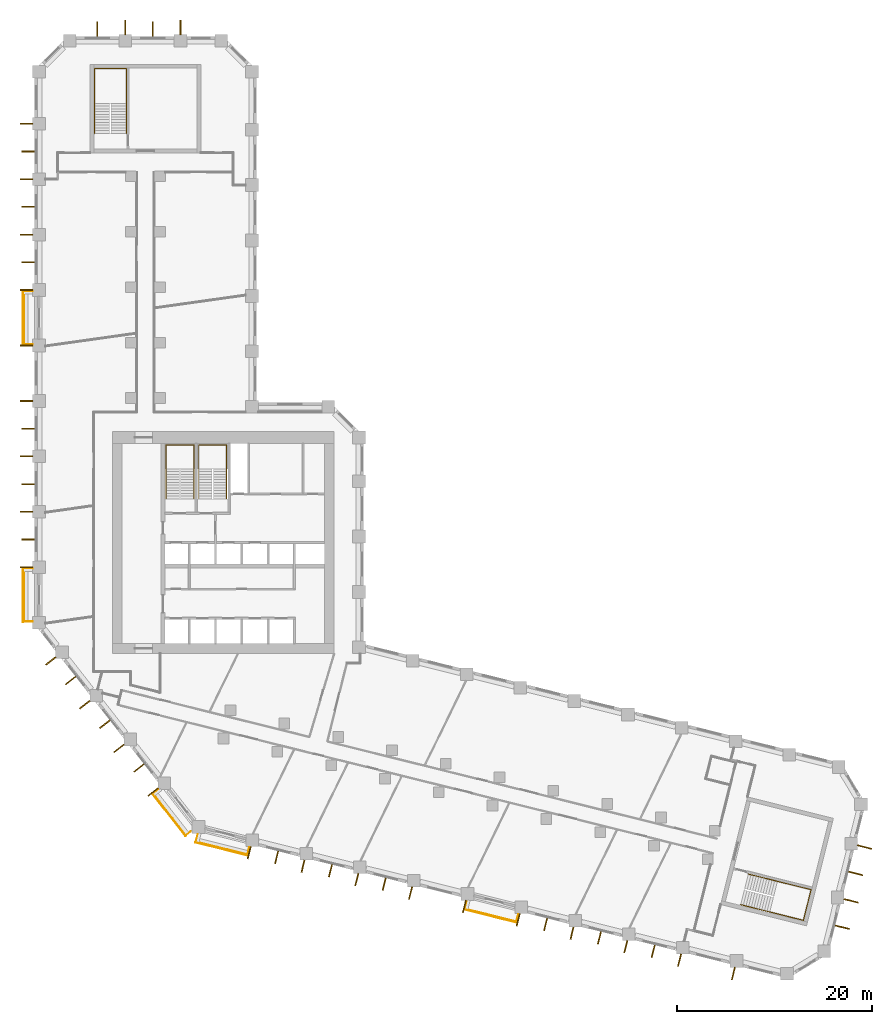
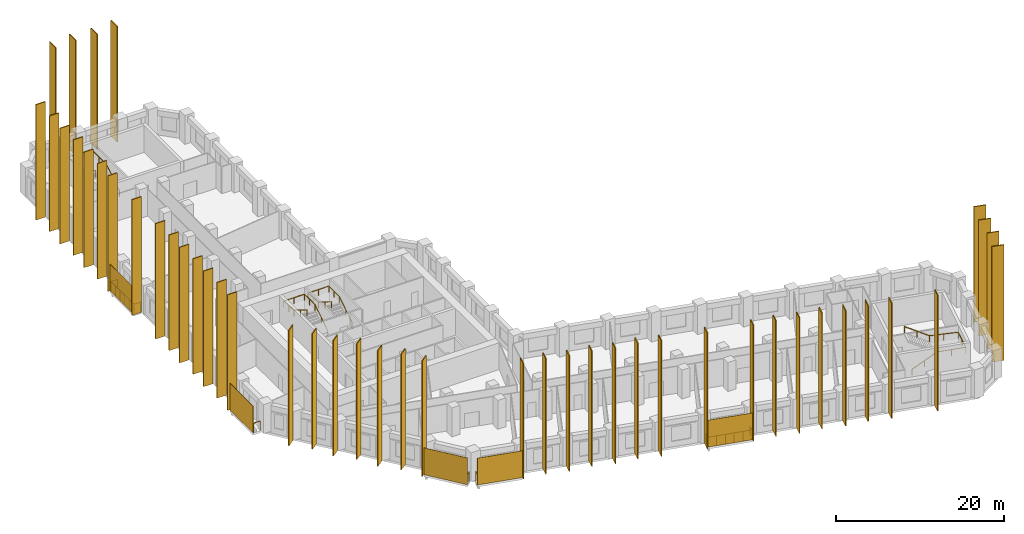
# One storey, part 11 of 11: 51 shading devices, 9 railings.
"""IFC4 building model written with IfcOpenShell, lengths in metres."""

from ifc_helpers import new_model, si_unit, direction, frame, origin, origin_2d, place, context, subcontext, project, spatial, rectangle, circle, extrude, material, layer, layer_set, type_object, element, save


model = new_model("IFC4")

# Units and contexts
model_context = context("Model", 3, precision=1e-05, world=origin(), true_north=direction((0.0, 1.0)))
body_context = subcontext(model_context, "Body", "Model", "MODEL_VIEW")
ifc_project = project(units=[si_unit("LENGTHUNIT", "METRE"), si_unit("AREAUNIT", "SQUARE_METRE"), si_unit("VOLUMEUNIT", "CUBIC_METRE"), si_unit("PLANEANGLEUNIT", "RADIAN"), si_unit("MASSUNIT", "GRAM", prefix="KILO")], contexts=[model_context])

# Site, building, storey
site_placement = place(None, origin())
site = spatial("IfcSite", under=ifc_project, at=site_placement, CompositionType="ELEMENT")
building_placement = place(site_placement, origin())
building = spatial("IfcBuilding", under=site, at=building_placement, Name="Meshkara Civic Tower", CompositionType="ELEMENT")
storey_placement = place(building_placement, frame((0.0, 0.0, 97.199951171875)))
storey = spatial("IfcBuildingStorey", under=building, at=storey_placement, Name="L21", CompositionType="ELEMENT", Elevation=97.199951171875)

# Railings
ifc_material_1 = material(Name="Steel S355", Category="steel")
railing_type_1 = type_object("IfcRailingType", Name="BALUSTRADE GUARD 1400", PredefinedType="BALUSTRADE", material=ifc_material_1)
for number, where, name in (
    (1, (-0.199951171875, 51.3349609375, 0.0), "Balcony guard"),
    (2, (-0.199951171875, 22.8349609375, 0.0), "Balcony guard"),
):
    element("IfcRailing", number, at=place(storey_placement, frame(where)), inside=storey, type_object=railing_type_1, Name=name, PredefinedType="BALUSTRADE", context=body_context, shape_type="SweptSolid", body=[
        extrude(circle(Radius=0.02392578125, at=origin_2d()), frame((0.0, 0.0, 1.3759765625), z_axis=(-1.0, 0.0, 0.0), x_axis=(0.0, -1.0, 0.0)), (0.0, 0.0, 1.0), 0.91015625),
        extrude(circle(Radius=0.02392578125, at=origin_2d()), frame((-0.91015625, 0.0, 1.3759765625), z_axis=(0.0, -1.0, 0.0), x_axis=(1.0, 0.0, 0.0)), (0.0, 0.0, 1.0), 5.4599609375),
        extrude(circle(Radius=0.02392578125, at=origin_2d()), frame((-0.91015625, -5.4599609375, 1.3759765625), z_axis=(1.0, 0.0, 0.0), x_axis=(0.0, 1.0, 0.0)), (0.0, 0.0, 1.0), 0.91015625),
        extrude(circle(Radius=0.02099609375, at=origin_2d()), origin(), (0.0, 0.0, 1.0), 1.351806640625),
        extrude(circle(Radius=0.02099609375, at=origin_2d()), frame((-0.91015625, 0.0, 0.0)), (0.0, 0.0, 1.0), 1.351806640625),
        extrude(circle(Radius=0.02099609375, at=origin_2d()), frame((-0.91015625, -1.092041015625, 0.0)), (0.0, 0.0, 1.0), 1.351806640625),
        extrude(circle(Radius=0.02099609375, at=origin_2d()), frame((-0.91015625, -2.18408203125, 0.0)), (0.0, 0.0, 1.0), 1.351806640625),
        extrude(circle(Radius=0.02099609375, at=origin_2d()), frame((-0.91015625, -3.27587890625, 0.0)), (0.0, 0.0, 1.0), 1.351806640625),
        extrude(circle(Radius=0.02099609375, at=origin_2d()), frame((-0.91015625, -4.367919921875, 0.0)), (0.0, 0.0, 1.0), 1.351806640625),
        extrude(circle(Radius=0.02099609375, at=origin_2d()), frame((-0.91015625, -5.4599609375, 0.0)), (0.0, 0.0, 1.0), 1.351806640625),
        extrude(circle(Radius=0.02099609375, at=origin_2d()), frame((0.0, -5.4599609375, 0.0)), (0.0, 0.0, 1.0), 1.351806640625),
    ])
railing_1_placement = place(storey_placement, frame((12.697021484375, 0.097900390625, 0.0)))
element("IfcRailing", 3, at=railing_1_placement, inside=storey, type_object=railing_type_1, Name="Balcony guard", PredefinedType="BALUSTRADE", context=body_context, shape_type="SweptSolid", body=[
    extrude(circle(Radius=0.02392578125, at=origin_2d()), frame((0.0, 0.0, 1.3759765625), z_axis=(-0.788235582762, -0.615373598774, 0.0), x_axis=(0.615373598774, -0.788235582762, 0.0)), (0.0, 0.0, 1.0), 0.648193359375),
    extrude(circle(Radius=0.02392578125, at=origin_2d()), frame((-0.510986328125, -0.39892578125, 1.3759765625), z_axis=(0.615684818606, -0.787992515281, 0.0), x_axis=(0.787992515281, 0.615684818606, 0.0)), (0.0, 0.0, 1.0), 5.460693359375),
    extrude(circle(Radius=0.02392578125, at=origin_2d()), frame((2.85107421875, -4.701904296875, 1.3759765625), z_axis=(0.787664106231, 0.616104906453, 0.0), x_axis=(-0.616104906453, 0.787664106231, 0.0)), (0.0, 0.0, 1.0), 0.6474609375),
    extrude(circle(Radius=0.02099609375, at=origin_2d()), origin(), (0.0, 0.0, 1.0), 1.351806640625),
    extrude(circle(Radius=0.02099609375, at=origin_2d()), frame((-0.510986328125, -0.39892578125, 0.0)), (0.0, 0.0, 1.0), 1.351806640625),
    extrude(circle(Radius=0.02099609375, at=origin_2d()), frame((0.161376953125, -1.259521484375, 0.0)), (0.0, 0.0, 1.0), 1.351806640625),
    extrude(circle(Radius=0.02099609375, at=origin_2d()), frame((0.833740234375, -2.1201171875, 0.0)), (0.0, 0.0, 1.0), 1.351806640625),
    extrude(circle(Radius=0.02099609375, at=origin_2d()), frame((1.50634765625, -2.980712890625, 0.0)), (0.0, 0.0, 1.0), 1.351806640625),
    extrude(circle(Radius=0.02099609375, at=origin_2d()), frame((2.1787109375, -3.84130859375, 0.0)), (0.0, 0.0, 1.0), 1.351806640625),
    extrude(circle(Radius=0.02099609375, at=origin_2d()), frame((2.85107421875, -4.701904296875, 0.0)), (0.0, 0.0, 1.0), 1.351806640625),
    extrude(circle(Radius=0.02099609375, at=origin_2d()), frame((3.361083984375, -4.302978515625, 0.0)), (0.0, 0.0, 1.0), 1.351806640625),
])
railing_2_placement = place(storey_placement, frame((16.777099609375, -4.531005859375, 0.0)))
element("IfcRailing", 4, at=railing_2_placement, inside=storey, type_object=railing_type_1, Name="Balcony guard", PredefinedType="BALUSTRADE", context=body_context, shape_type="SweptSolid", body=[
    extrude(circle(Radius=0.02392578125, at=origin_2d()), frame((0.0, 0.0, 1.3759765625), z_axis=(-0.241941038466, -0.970290953223, 0.0), x_axis=(0.970290953223, -0.241941038466, 0.0)), (0.0, 0.0, 1.0), 0.77294921875),
    extrude(circle(Radius=0.02392578125, at=origin_2d()), frame((-0.18701171875, -0.75, 1.3759765625), z_axis=(0.9703315887, -0.241778013829, 0.0), x_axis=(0.241778013829, 0.9703315887, 0.0)), (0.0, 0.0, 1.0), 5.459716796875),
    extrude(circle(Radius=0.02392578125, at=origin_2d()), frame((5.11083984375, -2.070068359375, 1.3759765625), z_axis=(0.242237978263, 0.970216863329, 0.0), x_axis=(-0.970216863329, 0.242237978263, 0.0)), (0.0, 0.0, 1.0), 0.77197265625),
    extrude(circle(Radius=0.02099609375, at=origin_2d()), origin(), (0.0, 0.0, 1.0), 1.351806640625),
    extrude(circle(Radius=0.02099609375, at=origin_2d()), frame((-0.18701171875, -0.75, 0.0)), (0.0, 0.0, 1.0), 1.351806640625),
    extrude(circle(Radius=0.02099609375, at=origin_2d()), frame((0.87255859375, -1.013916015625, 0.0)), (0.0, 0.0, 1.0), 1.351806640625),
    extrude(circle(Radius=0.02099609375, at=origin_2d()), frame((1.93212890625, -1.278076171875, 0.0)), (0.0, 0.0, 1.0), 1.351806640625),
    extrude(circle(Radius=0.02099609375, at=origin_2d()), frame((2.99169921875, -1.5419921875, 0.0)), (0.0, 0.0, 1.0), 1.351806640625),
    extrude(circle(Radius=0.02099609375, at=origin_2d()), frame((4.05126953125, -1.80615234375, 0.0)), (0.0, 0.0, 1.0), 1.351806640625),
    extrude(circle(Radius=0.02099609375, at=origin_2d()), frame((5.11083984375, -2.070068359375, 0.0)), (0.0, 0.0, 1.0), 1.351806640625),
    extrude(circle(Radius=0.02099609375, at=origin_2d()), frame((5.2978515625, -1.321044921875, 0.0)), (0.0, 0.0, 1.0), 1.351806640625),
])
railing_3_placement = place(storey_placement, frame((44.430908203125, -11.426025390625, 0.0)))
element("IfcRailing", 5, at=railing_3_placement, inside=storey, type_object=railing_type_1, Name="Balcony guard", PredefinedType="BALUSTRADE", context=body_context, shape_type="SweptSolid", body=[
    extrude(circle(Radius=0.02392578125, at=origin_2d()), frame((0.0, 0.0, 1.3759765625), z_axis=(-0.242237978263, -0.970216863329, 0.0), x_axis=(0.970216863329, -0.242237978263, 0.0)), (0.0, 0.0, 1.0), 0.77197265625),
    extrude(circle(Radius=0.02392578125, at=origin_2d()), frame((-0.18701171875, -0.7490234375, 1.3759765625), z_axis=(0.970281759871, -0.241977904902, 0.0), x_axis=(0.241977904902, 0.970281759871, 0.0)), (0.0, 0.0, 1.0), 5.45947265625),
    extrude(circle(Radius=0.02392578125, at=origin_2d()), frame((5.110107421875, -2.070068359375, 1.3759765625), z_axis=(0.242237978263, 0.970216863329, 0.0), x_axis=(-0.970216863329, 0.242237978263, 0.0)), (0.0, 0.0, 1.0), 0.77197265625),
    extrude(circle(Radius=0.02099609375, at=origin_2d()), origin(), (0.0, 0.0, 1.0), 1.351806640625),
    extrude(circle(Radius=0.02099609375, at=origin_2d()), frame((-0.18701171875, -0.7490234375, 0.0)), (0.0, 0.0, 1.0), 1.351806640625),
    extrude(circle(Radius=0.02099609375, at=origin_2d()), frame((0.872314453125, -1.01318359375, 0.0)), (0.0, 0.0, 1.0), 1.351806640625),
    extrude(circle(Radius=0.02099609375, at=origin_2d()), frame((1.931884765625, -1.27734375, 0.0)), (0.0, 0.0, 1.0), 1.351806640625),
    extrude(circle(Radius=0.02099609375, at=origin_2d()), frame((2.9912109375, -1.541748046875, 0.0)), (0.0, 0.0, 1.0), 1.351806640625),
    extrude(circle(Radius=0.02099609375, at=origin_2d()), frame((4.05078125, -1.805908203125, 0.0)), (0.0, 0.0, 1.0), 1.351806640625),
    extrude(circle(Radius=0.02099609375, at=origin_2d()), frame((5.110107421875, -2.070068359375, 0.0)), (0.0, 0.0, 1.0), 1.351806640625),
    extrude(circle(Radius=0.02099609375, at=origin_2d()), frame((5.297119140625, -1.321044921875, 0.0)), (0.0, 0.0, 1.0), 1.351806640625),
])

# Shading devices
ifc_material_2 = material(Name="Bronze anodised aluminium", Category="aluminium")
ifc_layer_1 = layer(ifc_material_2, 0.1201171875)
ifc_layer_set_1 = layer_set([ifc_layer_1], Name="BRONZE FIN 1300")
shading_device_type_1 = type_object("IfcShadingDeviceType", Name="BRONZE FIN 1300", PredefinedType="USERDEFINED", material=ifc_layer_set_1)
for number, where, z_axis, x_axis, name in (
    (6, (-0.85009765625, 68.554931640625, 0.0), (0.0, 0.0, 1.0), (0.0, -1.0, 0.0), "Fin"),
    (7, (-0.64990234375, 65.705078125, 0.0), (0.0, 0.0, 1.0), (0.0, -1.0, 0.0), "Fin"),
    (8, (-0.85009765625, 62.85498046875, 0.0), (0.0, 0.0, 1.0), (0.0, -1.0, 0.0), "Fin"),
    (9, (-0.64990234375, 60.0048828125, 0.0), (0.0, 0.0, 1.0), (0.0, -1.0, 0.0), "Fin"),
    (10, (-0.85009765625, 57.155029296875, 0.0), (0.0, 0.0, 1.0), (0.0, -1.0, 0.0), "Fin"),
    (11, (-0.64990234375, 54.304931640625, 0.0), (0.0, 0.0, 1.0), (0.0, -1.0, 0.0), "Fin"),
    (12, (-0.85009765625, 51.455078125, 0.0), (0.0, 0.0, 1.0), (0.0, -1.0, 0.0), "Fin"),
    (13, (-0.85009765625, 45.7548828125, 0.0), (0.0, 0.0, 1.0), (0.0, -1.0, 0.0), "Fin"),
    (14, (-0.85009765625, 40.054931640625, 0.0), (0.0, 0.0, 1.0), (0.0, -1.0, 0.0), "Fin"),
    (15, (-0.64990234375, 37.205078125, 0.0), (0.0, 0.0, 1.0), (0.0, -1.0, 0.0), "Fin"),
    (16, (-0.85009765625, 34.35498046875, 0.0), (0.0, 0.0, 1.0), (0.0, -1.0, 0.0), "Fin"),
    (17, (-0.64990234375, 31.5048828125, 0.0), (0.0, 0.0, 1.0), (0.0, -1.0, 0.0), "Fin"),
    (18, (-0.85009765625, 28.655029296875, 0.0), (0.0, 0.0, 1.0), (0.0, -1.0, 0.0), "Fin"),
    (19, (-0.64990234375, 25.804931640625, 0.0), (0.0, 0.0, 1.0), (0.0, -1.0, 0.0), "Fin"),
    (20, (-0.85009765625, 22.955078125, 0.0), (0.0, 0.0, 1.0), (0.0, -1.0, 0.0), "Fin"),
    (21, (1.652099609375, 13.321044921875, 0.0), (0.0, 0.0, 1.0), (0.615661475326, -0.788010753607, 0.0), "Fin"),
    (22, (3.701904296875, 11.305908203125, 0.0), (0.0, 0.0, 1.0), (0.615661475326, -0.788010753607, 0.0), "Fin"),
    (23, (5.160888671875, 8.8291015625, 0.0), (0.0, 0.0, 1.0), (0.615661475326, -0.788010753607, 0.0), "Fin"),
    (24, (7.2109375, 6.81396484375, 0.0), (0.0, 0.0, 1.0), (0.615661475326, -0.788010753607, 0.0), "Fin"),
    (25, (8.6708984375, 4.3369140625, 0.0), (0.0, 0.0, 1.0), (0.615661475326, -0.788010753607, 0.0), "Fin"),
    (26, (10.720947265625, 2.322021484375, 0.0), (0.0, 0.0, 1.0), (0.615661475326, -0.788010753607, 0.0), "Fin"),
    (27, (12.179931640625, -0.154052734375, 0.0), (0.0, 0.0, 1.0), (0.615661475326, -0.788010753607, 0.0), "Fin"),
    (28, (22.06298828125, -6.39794921875, 0.0), (0.0, 0.0, 1.0), (0.970299948462, -0.241904960708, 0.0), "Fin"),
    (29, (24.881103515625, -6.873046875, 0.0), (0.0, 0.0, 1.0), (0.970299948462, -0.241904960708, 0.0), "Fin"),
    (30, (27.593017578125, -7.777099609375, 0.0), (0.0, 0.0, 1.0), (0.970299948462, -0.241904960708, 0.0), "Fin"),
    (31, (30.412109375, -8.251953125, 0.0), (0.0, 0.0, 1.0), (0.970299948462, -0.241904960708, 0.0), "Fin"),
    (32, (33.1240234375, -9.156005859375, 0.0), (0.0, 0.0, 1.0), (0.970299948462, -0.241904960708, 0.0), "Fin"),
    (33, (35.94189453125, -9.631103515625, 0.0), (0.0, 0.0, 1.0), (0.970299948462, -0.241904960708, 0.0), "Fin"),
    (34, (38.655029296875, -10.533935546875, 0.0), (0.0, 0.0, 1.0), (0.970299948462, -0.241904960708, 0.0), "Fin"),
    (35, (44.18603515625, -11.9130859375, 0.0), (0.0, 0.0, 1.0), (0.970299948462, -0.241904960708, 0.0), "Fin"),
    (36, (49.716064453125, -13.2919921875, 0.0), (0.0, 0.0, 1.0), (0.970299948462, -0.241904960708, 0.0), "Fin"),
    (37, (52.533935546875, -13.76806640625, 0.0), (0.0, 0.0, 1.0), (0.970299948462, -0.241904960708, 0.0), "Fin"),
    (38, (55.2470703125, -14.6708984375, 0.0), (0.0, 0.0, 1.0), (0.970299948462, -0.241904960708, 0.0), "Fin"),
    (39, (58.06494140625, -15.14697265625, 0.0), (0.0, 0.0, 1.0), (0.970299948462, -0.241904960708, 0.0), "Fin"),
    (40, (60.778076171875, -16.050048828125, 0.0), (0.0, 0.0, 1.0), (0.970299948462, -0.241904960708, 0.0), "Fin"),
    (41, (63.595947265625, -16.52587890625, 0.0), (0.0, 0.0, 1.0), (0.970299948462, -0.241904960708, 0.0), "Fin"),
    (42, (66.30810546875, -17.428955078125, 0.0), (0.0, 0.0, 1.0), (0.970299948462, -0.241904960708, 0.0), "Fin"),
    (43, (71.839111328125, -18.80810546875, 0.0), (0.0, 0.0, 1.0), (0.970299948462, -0.241904960708, 0.0), "Fin"),
):
    element("IfcShadingDevice", number, at=place(storey_placement, frame(where, z_axis=z_axis, x_axis=x_axis)), inside=storey, type_object=shading_device_type_1, Name=name, ObjectType="FIN", PredefinedType="USERDEFINED", context=body_context, shape_type="SweptSolid", body=[
        extrude(rectangle(XDim=0.1201171875, YDim=1.300048828125, at=origin_2d()), origin(), (0.0, 0.0, 1.0), 16.800048828125),
    ])
ifc_material_3 = material(Name="Bronze anodised aluminium", Category="aluminium")
ifc_layer_2 = layer(ifc_material_3, 0.1201171875)
ifc_layer_set_2 = layer_set([ifc_layer_2], Name="BRONZE FIN 1500")
shading_device_type_2 = type_object("IfcShadingDeviceType", Name="BRONZE FIN 1500", PredefinedType="USERDEFINED", material=ifc_layer_set_2)
for number, where, z_axis, x_axis, name in (
    (44, (15.006103515625, 78.469970703125, 0.0), (0.0, 0.0, 1.0), (-1.0, 0.0, 0.0), "Fin"),
    (45, (12.156005859375, 78.27001953125, 0.0), (0.0, 0.0, 1.0), (-1.0, 0.0, 0.0), "Fin"),
    (46, (9.305908203125, 78.469970703125, 0.0), (0.0, 0.0, 1.0), (-1.0, 0.0, 0.0), "Fin"),
    (47, (6.4560546875, 78.27001953125, 0.0), (0.0, 0.0, 1.0), (-1.0, 0.0, 0.0), "Fin"),
    (48, (83.037109375, -14.049072265625, 0.0), (0.0, 0.0, 1.0), (0.2419218956, 0.970295726276, 0.0), "Fin"),
    (49, (83.93994140625, -11.3359375, 0.0), (0.0, 0.0, 1.0), (0.2419218956, 0.970295726276, 0.0), "Fin"),
    (50, (84.416015625, -8.51806640625, 0.0), (0.0, 0.0, 1.0), (0.2419218956, 0.970295726276, 0.0), "Fin"),
    (51, (85.319091796875, -5.805908203125, 0.0), (0.0, 0.0, 1.0), (0.2419218956, 0.970295726276, 0.0), "Fin"),
):
    element("IfcShadingDevice", number, at=place(storey_placement, frame(where, z_axis=z_axis, x_axis=x_axis)), inside=storey, type_object=shading_device_type_2, Name=name, ObjectType="FIN", PredefinedType="USERDEFINED", context=body_context, shape_type="SweptSolid", body=[
        extrude(rectangle(XDim=0.1201171875, YDim=1.5, at=origin_2d()), origin(), (0.0, 0.0, 1.0), 16.800048828125),
    ])
ifc_material_4 = material(Name="Perforated bronze anodised aluminium sheet", Category="aluminium")
ifc_layer_3 = layer(ifc_material_4, 0.0400390625)
ifc_layer_set_3 = layer_set([ifc_layer_3], Name="PERFORATED BRONZE SCREEN")
shading_device_type_3 = type_object("IfcShadingDeviceType", Name="PERFORATED BRONZE SCREEN", PredefinedType="USERDEFINED", material=ifc_layer_set_3)
for number, where, z_axis, x_axis, name in (
    (52, (-1.179931640625, 48.60498046875, 0.0), (0.0, 0.0, 1.0), (0.0, -1.0, 0.0), "Balcony screen"),
    (53, (-1.179931640625, 20.10498046875, 0.0), (0.0, 0.0, 1.0), (0.0, -1.0, 0.0), "Balcony screen"),
    (54, (13.81201171875, -2.4951171875, 0.0), (0.0, 0.0, 1.0), (0.615661475326, -0.788010753607, 0.0), "Balcony screen"),
    (55, (19.221923828125, -6.009033203125, 0.0), (0.0, 0.0, 1.0), (0.970299948462, -0.241904960708, 0.0), "Balcony screen"),
):
    element("IfcShadingDevice", number, at=place(storey_placement, frame(where, z_axis=z_axis, x_axis=x_axis)), inside=storey, type_object=shading_device_type_3, Name=name, ObjectType="SCREEN", PredefinedType="USERDEFINED", context=body_context, shape_type="SweptSolid", body=[
        extrude(rectangle(XDim=5.580078125, YDim=0.0400390625, at=origin_2d()), origin(), (0.0, 0.0, 1.0), 3.89990234375),
    ])
shading_device_placement = place(storey_placement, frame((46.8759765625, -12.903076171875, 0.0), z_axis=(0.0, 0.0, 1.0), x_axis=(0.970299948462, -0.241904960708, 0.0)))
element("IfcShadingDevice", 56, at=shading_device_placement, inside=storey, type_object=shading_device_type_3, Name="Balcony screen", ObjectType="SCREEN", PredefinedType="USERDEFINED", context=body_context, shape_type="SweptSolid", body=[
    extrude(rectangle(XDim=5.5791015625, YDim=0.0400390625, at=origin_2d()), origin(), (0.0, 0.0, 1.0), 3.89990234375),
])

# Railings
ifc_material_5 = material(Name="Steel handrail", Category="steel")
railing_type_2 = type_object("IfcRailingType", Name="Stair handrail 900", PredefinedType="HANDRAIL", material=ifc_material_5)
railing_4_placement = place(storey_placement, frame((16.375, 30.0, 0.175048828125)))
element("IfcRailing", 57, at=railing_4_placement, inside=storey, type_object=railing_type_2, Name="L21 ST1 stair handrail 1", PredefinedType="HANDRAIL", context=body_context, shape_type="SweptSolid", body=[
    extrude(circle(Radius=0.02392578125, at=origin_2d()), frame((0.0, 0.0, 0.8759765625), z_axis=(0.0, 0.847998304005, 0.529998940003), x_axis=(-1.0, 0.0, 0.0)), (0.0, 0.0, 1.0), 3.632080078125),
    extrude(circle(Radius=0.02392578125, at=origin_2d()), frame((0.0, 3.080078125, 2.80078125), z_axis=(0.0, 1.0, 0.0), x_axis=(-1.0, 0.0, 0.0)), (0.0, 0.0, 1.0), 2.469970703125),
    extrude(circle(Radius=0.02392578125, at=origin_2d()), frame((0.0, 5.550048828125, 2.80078125), z_axis=(-1.0, 0.0, 0.0), x_axis=(0.0, -1.0, 0.0)), (0.0, 0.0, 1.0), 2.85009765625),
    extrude(circle(Radius=0.02392578125, at=origin_2d()), frame((-2.85009765625, 5.550048828125, 2.80078125), z_axis=(0.0, -0.997498084828, 0.070693498747), x_axis=(1.0, 0.0, 0.0)), (0.0, 0.0, 1.0), 2.47607421875),
    extrude(circle(Radius=0.02392578125, at=origin_2d()), frame((-2.85009765625, 3.080078125, 2.97607421875), z_axis=(0.0, -0.848028513186, 0.529950602248), x_axis=(1.0, 0.0, 0.0)), (0.0, 0.0, 1.0), 3.632080078125),
    extrude(circle(Radius=0.02099609375, at=origin_2d()), origin(), (0.0, 0.0, 1.0), 0.851806640625),
    extrude(circle(Radius=0.02099609375, at=origin_2d()), frame((0.0, 1.5400390625, 0.96240234375)), (0.0, 0.0, 1.0), 0.851806640625),
    extrude(circle(Radius=0.02099609375, at=origin_2d()), frame((0.0, 3.080078125, 1.925048828125)), (0.0, 0.0, 1.0), 0.851806640625),
    extrude(circle(Radius=0.02099609375, at=origin_2d()), frame((0.0, 4.31494140625, 1.925048828125)), (0.0, 0.0, 1.0), 0.851806640625),
    extrude(circle(Radius=0.02099609375, at=origin_2d()), frame((0.0, 5.550048828125, 1.925048828125)), (0.0, 0.0, 1.0), 0.851806640625),
    extrude(circle(Radius=0.02099609375, at=origin_2d()), frame((-1.425048828125, 5.550048828125, 1.925048828125)), (0.0, 0.0, 1.0), 0.851806640625),
    extrude(circle(Radius=0.02099609375, at=origin_2d()), frame((-2.85009765625, 5.550048828125, 1.925048828125)), (0.0, 0.0, 1.0), 0.851806640625),
    extrude(circle(Radius=0.02099609375, at=origin_2d()), frame((-2.85009765625, 4.31494140625, 2.0126953125)), (0.0, 0.0, 1.0), 0.851806640625),
    extrude(circle(Radius=0.02099609375, at=origin_2d()), frame((-2.85009765625, 3.080078125, 2.10009765625)), (0.0, 0.0, 1.0), 0.851806640625),
    extrude(circle(Radius=0.02099609375, at=origin_2d()), frame((-2.85009765625, 1.5400390625, 3.0625)), (0.0, 0.0, 1.0), 0.851806640625),
    extrude(circle(Radius=0.02099609375, at=origin_2d()), frame((-2.85009765625, 0.0, 4.02490234375)), (0.0, 0.0, 1.0), 0.851806640625),
])
railing_5_placement = place(storey_placement, frame((19.72509765625, 30.0, 0.175048828125)))
element("IfcRailing", 58, at=railing_5_placement, inside=storey, type_object=railing_type_2, Name="L21 ST2 stair handrail 1", PredefinedType="HANDRAIL", context=body_context, shape_type="SweptSolid", body=[
    extrude(circle(Radius=0.02392578125, at=origin_2d()), frame((0.0, 0.0, 0.8759765625), z_axis=(0.0, 0.847998304005, 0.529998940003), x_axis=(-1.0, 0.0, 0.0)), (0.0, 0.0, 1.0), 3.632080078125),
    extrude(circle(Radius=0.02392578125, at=origin_2d()), frame((0.0, 3.080078125, 2.80078125), z_axis=(0.0, 1.0, 0.0), x_axis=(-1.0, 0.0, 0.0)), (0.0, 0.0, 1.0), 2.469970703125),
    extrude(circle(Radius=0.02392578125, at=origin_2d()), frame((0.0, 5.550048828125, 2.80078125), z_axis=(-1.0, 0.0, 0.0), x_axis=(0.0, -1.0, 0.0)), (0.0, 0.0, 1.0), 2.85009765625),
    extrude(circle(Radius=0.02392578125, at=origin_2d()), frame((-2.85009765625, 5.550048828125, 2.80078125), z_axis=(0.0, -0.997498084828, 0.070693498747), x_axis=(1.0, 0.0, 0.0)), (0.0, 0.0, 1.0), 2.47607421875),
    extrude(circle(Radius=0.02392578125, at=origin_2d()), frame((-2.85009765625, 3.080078125, 2.97607421875), z_axis=(0.0, -0.848028513186, 0.529950602248), x_axis=(1.0, 0.0, 0.0)), (0.0, 0.0, 1.0), 3.632080078125),
    extrude(circle(Radius=0.02099609375, at=origin_2d()), origin(), (0.0, 0.0, 1.0), 0.851806640625),
    extrude(circle(Radius=0.02099609375, at=origin_2d()), frame((0.0, 1.5400390625, 0.96240234375)), (0.0, 0.0, 1.0), 0.851806640625),
    extrude(circle(Radius=0.02099609375, at=origin_2d()), frame((0.0, 3.080078125, 1.925048828125)), (0.0, 0.0, 1.0), 0.851806640625),
    extrude(circle(Radius=0.02099609375, at=origin_2d()), frame((0.0, 4.31494140625, 1.925048828125)), (0.0, 0.0, 1.0), 0.851806640625),
    extrude(circle(Radius=0.02099609375, at=origin_2d()), frame((0.0, 5.550048828125, 1.925048828125)), (0.0, 0.0, 1.0), 0.851806640625),
    extrude(circle(Radius=0.02099609375, at=origin_2d()), frame((-1.425048828125, 5.550048828125, 1.925048828125)), (0.0, 0.0, 1.0), 0.851806640625),
    extrude(circle(Radius=0.02099609375, at=origin_2d()), frame((-2.85009765625, 5.550048828125, 1.925048828125)), (0.0, 0.0, 1.0), 0.851806640625),
    extrude(circle(Radius=0.02099609375, at=origin_2d()), frame((-2.85009765625, 4.31494140625, 2.0126953125)), (0.0, 0.0, 1.0), 0.851806640625),
    extrude(circle(Radius=0.02099609375, at=origin_2d()), frame((-2.85009765625, 3.080078125, 2.10009765625)), (0.0, 0.0, 1.0), 0.851806640625),
    extrude(circle(Radius=0.02099609375, at=origin_2d()), frame((-2.85009765625, 1.5400390625, 3.0625)), (0.0, 0.0, 1.0), 0.851806640625),
    extrude(circle(Radius=0.02099609375, at=origin_2d()), frame((-2.85009765625, 0.0, 4.02490234375)), (0.0, 0.0, 1.0), 0.851806640625),
])
railing_6_placement = place(storey_placement, frame((9.425048828125, 67.570068359375, 0.175048828125)))
element("IfcRailing", 59, at=railing_6_placement, inside=storey, type_object=railing_type_2, Name="L21 ESA2 stair handrail 1", PredefinedType="HANDRAIL", context=body_context, shape_type="SweptSolid", body=[
    extrude(circle(Radius=0.02392578125, at=origin_2d()), frame((0.0, 0.0, 0.8759765625), z_axis=(0.0, 0.847979421464, 0.530029150871), x_axis=(-1.0, 0.0, 0.0)), (0.0, 0.0, 1.0), 3.632080078125),
    extrude(circle(Radius=0.02392578125, at=origin_2d()), frame((0.0, 3.079833984375, 2.80078125), z_axis=(0.0, 1.0, 0.0), x_axis=(-1.0, 0.0, 0.0)), (0.0, 0.0, 1.0), 3.570068359375),
    extrude(circle(Radius=0.02392578125, at=origin_2d()), frame((0.0, 6.64990234375, 2.80078125), z_axis=(-1.0, 0.0, 0.0), x_axis=(0.0, -1.0, 0.0)), (0.0, 0.0, 1.0), 3.25),
    extrude(circle(Radius=0.02392578125, at=origin_2d()), frame((-3.25, 6.64990234375, 2.80078125), z_axis=(0.0, -0.998800077689, 0.048973511297), x_axis=(1.0, 0.0, 0.0)), (0.0, 0.0, 1.0), 3.574462890625),
    extrude(circle(Radius=0.02392578125, at=origin_2d()), frame((-3.25, 3.079833984375, 2.97607421875), z_axis=(0.0, -0.848009633417, 0.529980812513), x_axis=(1.0, 0.0, 0.0)), (0.0, 0.0, 1.0), 3.6318359375),
    extrude(circle(Radius=0.02099609375, at=origin_2d()), origin(), (0.0, 0.0, 1.0), 0.851806640625),
    extrude(circle(Radius=0.02099609375, at=origin_2d()), frame((0.0, 1.5400390625, 0.96240234375)), (0.0, 0.0, 1.0), 0.851806640625),
    extrude(circle(Radius=0.02099609375, at=origin_2d()), frame((0.0, 3.079833984375, 1.925048828125)), (0.0, 0.0, 1.0), 0.851806640625),
    extrude(circle(Radius=0.02099609375, at=origin_2d()), frame((0.0, 4.86474609375, 1.925048828125)), (0.0, 0.0, 1.0), 0.851806640625),
    extrude(circle(Radius=0.02099609375, at=origin_2d()), frame((0.0, 6.64990234375, 1.925048828125)), (0.0, 0.0, 1.0), 0.851806640625),
    extrude(circle(Radius=0.02099609375, at=origin_2d()), frame((-1.625, 6.64990234375, 1.925048828125)), (0.0, 0.0, 1.0), 0.851806640625),
    extrude(circle(Radius=0.02099609375, at=origin_2d()), frame((-3.25, 6.64990234375, 1.925048828125)), (0.0, 0.0, 1.0), 0.851806640625),
    extrude(circle(Radius=0.02099609375, at=origin_2d()), frame((-3.25, 4.86474609375, 2.0126953125)), (0.0, 0.0, 1.0), 0.851806640625),
    extrude(circle(Radius=0.02099609375, at=origin_2d()), frame((-3.25, 3.079833984375, 2.10009765625)), (0.0, 0.0, 1.0), 0.851806640625),
    extrude(circle(Radius=0.02099609375, at=origin_2d()), frame((-3.25, 1.5400390625, 3.0625)), (0.0, 0.0, 1.0), 0.851806640625),
    extrude(circle(Radius=0.02099609375, at=origin_2d()), frame((-3.25, 0.0, 4.02490234375)), (0.0, 0.0, 1.0), 0.851806640625),
])
railing_7_placement = place(storey_placement, frame((72.587158203125, -11.73388671875, 0.175048828125)))
element("IfcRailing", 60, at=railing_7_placement, inside=storey, type_object=railing_type_2, Name="L21 ESB2 stair handrail 1", PredefinedType="HANDRAIL", context=body_context, shape_type="SweptSolid", body=[
    extrude(circle(Radius=0.02392578125, at=origin_2d()), frame((0.0, 0.0, 0.8759765625), z_axis=(0.82276025377, -0.205286749593, 0.530021617727), x_axis=(0.242087961707, 0.97025430625, 0.0)), (0.0, 0.0, 1.0), 3.632080078125),
    extrude(circle(Radius=0.02392578125, at=origin_2d()), frame((2.98828125, -0.74560546875, 2.80078125), z_axis=(0.97025503065, -0.242085058395, 0.0), x_axis=(0.242085058395, 0.97025503065, 0.0)), (0.0, 0.0, 1.0), 3.570068359375),
    extrude(circle(Radius=0.02392578125, at=origin_2d()), frame((6.4521484375, -1.60986328125, 2.80078125), z_axis=(0.242040676986, 0.970266103027, 0.0), x_axis=(-0.970266103027, 0.242040676986, 0.0)), (0.0, 0.0, 1.0), 3.25),
    extrude(circle(Radius=0.02392578125, at=origin_2d()), frame((7.23876953125, 1.54345703125, 2.80078125), z_axis=(-0.969090793551, 0.241794573525, 0.048973646672), x_axis=(-0.242085058395, -0.97025503065, 0.0)), (0.0, 0.0, 1.0), 3.574462890625),
    extrude(circle(Radius=0.02392578125, at=origin_2d()), frame((3.77490234375, 2.40771484375, 2.97607421875), z_axis=(-0.822789566377, 0.205294063375, 0.529973279519), x_axis=(-0.242087961707, -0.97025430625, 0.0)), (0.0, 0.0, 1.0), 3.6318359375),
    extrude(circle(Radius=0.02099609375, at=origin_2d()), origin(), (0.0, 0.0, 1.0), 0.851806640625),
    extrude(circle(Radius=0.02099609375, at=origin_2d()), frame((1.494140625, -0.372802734375, 0.96240234375)), (0.0, 0.0, 1.0), 0.851806640625),
    extrude(circle(Radius=0.02099609375, at=origin_2d()), frame((2.98828125, -0.74560546875, 1.925048828125)), (0.0, 0.0, 1.0), 0.851806640625),
    extrude(circle(Radius=0.02099609375, at=origin_2d()), frame((4.72021484375, -1.177734375, 1.925048828125)), (0.0, 0.0, 1.0), 0.851806640625),
    extrude(circle(Radius=0.02099609375, at=origin_2d()), frame((6.4521484375, -1.60986328125, 1.925048828125)), (0.0, 0.0, 1.0), 0.851806640625),
    extrude(circle(Radius=0.02099609375, at=origin_2d()), frame((6.845458984375, -0.033203125, 1.925048828125)), (0.0, 0.0, 1.0), 0.851806640625),
    extrude(circle(Radius=0.02099609375, at=origin_2d()), frame((7.23876953125, 1.54345703125, 1.925048828125)), (0.0, 0.0, 1.0), 0.851806640625),
    extrude(circle(Radius=0.02099609375, at=origin_2d()), frame((5.5068359375, 1.9755859375, 2.0126953125)), (0.0, 0.0, 1.0), 0.851806640625),
    extrude(circle(Radius=0.02099609375, at=origin_2d()), frame((3.77490234375, 2.40771484375, 2.10009765625)), (0.0, 0.0, 1.0), 0.851806640625),
    extrude(circle(Radius=0.02099609375, at=origin_2d()), frame((2.28076171875, 2.780517578125, 3.0625)), (0.0, 0.0, 1.0), 0.851806640625),
    extrude(circle(Radius=0.02099609375, at=origin_2d()), frame((0.78662109375, 3.1533203125, 4.02490234375)), (0.0, 0.0, 1.0), 0.851806640625),
])

save(model, "model.ifc")
